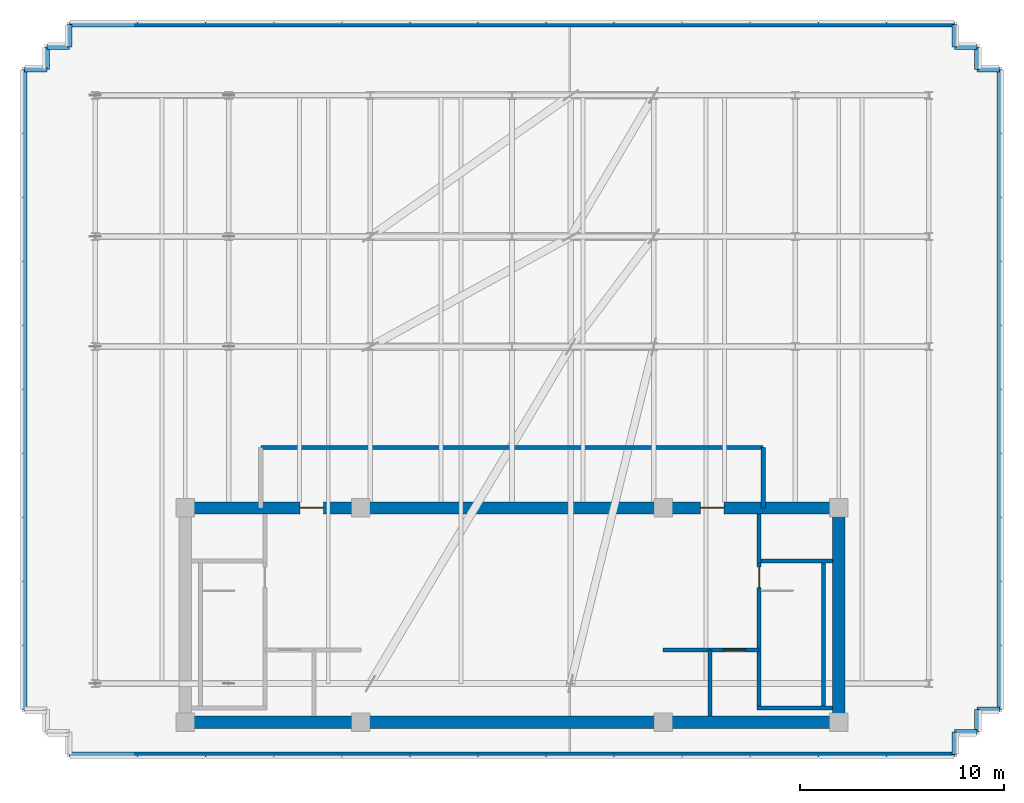
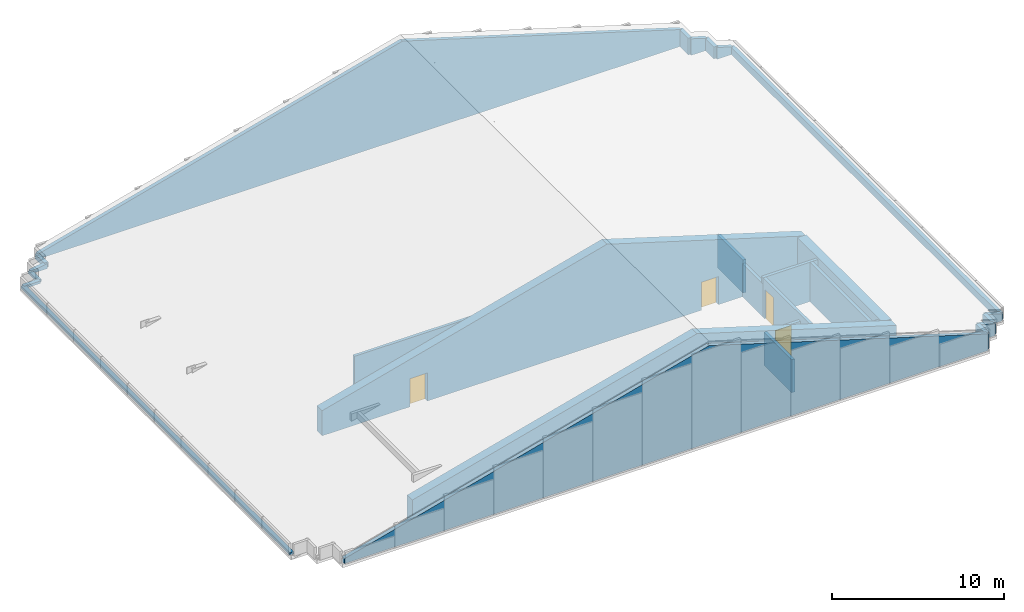
# One storey, part 5 of 6: 28 walls, 4 doors, 4 openings.
"""IFC4 building model written with IfcOpenShell, lengths in metres."""

from ifc_helpers import new_model, si_unit, direction, frame, frame_2d, origin, place, context, subcontext, project, spatial, polyline, rectangle, outline, extrude, material, layer, layer_set, type_object, element, fill, save


model = new_model("IFC4")

# Units and contexts
model_context = context("Model", 3, precision=1e-05, world=origin(), true_north=direction((0.0, 1.0)))
body_context = subcontext(model_context, "Body", "Model", "MODEL_VIEW")
ifc_project = project(units=[si_unit("LENGTHUNIT", "METRE"), si_unit("AREAUNIT", "SQUARE_METRE"), si_unit("VOLUMEUNIT", "CUBIC_METRE"), si_unit("PLANEANGLEUNIT", "RADIAN"), si_unit("MASSUNIT", "GRAM", prefix="KILO")], contexts=[model_context])

# Site, building, storey
site_placement = place(None, origin())
site = spatial("IfcSite", under=ifc_project, at=site_placement, CompositionType="ELEMENT")
building_placement = place(site_placement, origin())
building = spatial("IfcBuilding", under=site, at=building_placement, Name="Solmavex Isthmus Hotel", CompositionType="ELEMENT")
storey_placement = place(building_placement, frame((0.0, 0.0, 308.39990234375)))
storey = spatial("IfcBuildingStorey", under=building, at=storey_placement, Name="Roof", CompositionType="ELEMENT", Elevation=308.39990234375)

# Walls
ifc_material_1 = material(Name="Precast Concrete C40/50", Category="concrete")
ifc_layer_1 = layer(ifc_material_1, 0.260009765625)
ifc_layer_set_1 = layer_set([ifc_layer_1], Name="Precast Concrete C40/50")
wall_type_1 = type_object("IfcWallType", Name="EW-CRN-260", PredefinedType="STANDARD", material=ifc_layer_set_1)
wall_1_placement = place(storey_placement, frame((21.669921875, -14.570068359375, 0.0), z_axis=(0.0, 0.0, 1.0), x_axis=(-1.0, 0.0, 0.0)))
element("IfcWall", 1, at=wall_1_placement, inside=storey, type_object=wall_type_1, Name="Sloped Crown Gable Louvre Wall G01", PredefinedType="STANDARD", context=body_context, shape_type="SweptSolid", body=[
    extrude(outline(polyline([(0.0, 0.0), (43.33984375, 0.0), (43.340087890625, 0.355224609375), (18.79931640625, 6.930908203125), (0.0, 1.1806640625), (0.0, 0.0)])), frame((0.0, 0.1298828125, 0.0), z_axis=(0.0, -1.0, 0.0), x_axis=(1.0, 0.0, 0.0)), (0.0, 0.0, 1.0), 0.260009765625),
])
wall_2_placement = place(storey_placement, frame((-23.8701171875, -12.3701171875, 0.0), z_axis=(0.0, 0.0, 1.0), x_axis=(0.0, 1.0, 0.0)))
element("IfcWall", 2, at=wall_2_placement, inside=storey, type_object=wall_type_1, Name="Sloped Crown Gable Louvre Wall G06", PredefinedType="STANDARD", context=body_context, shape_type="SweptSolid", body=[
    extrude(outline(polyline([(0.0, 0.0), (31.340087890625, 0.0), (31.340087890625, 0.18017578125), (0.0, 0.18017578125), (0.0, 0.0)])), frame((0.0, 0.1298828125, 0.0), z_axis=(0.0, -1.0, 0.0), x_axis=(1.0, 0.0, 0.0)), (0.0, 0.0, 1.0), 0.260009765625),
])
for number, where, z_axis, x_axis, name in (
    (3, (-23.8701171875, 18.969970703125, 0.0), (0.0, 0.0, 1.0), (1.0, 0.0, 0.0), "Sloped Crown Gable Louvre Wall G07"),
    (4, (-22.77001953125, 18.969970703125, 0.0), (0.0, 0.0, 1.0), (0.0, 1.0, 0.0), "Sloped Crown Gable Louvre Wall G08"),
):
    element("IfcWall", number, at=place(storey_placement, frame(where, z_axis=z_axis, x_axis=x_axis)), inside=storey, type_object=wall_type_1, Name=name, PredefinedType="STANDARD", context=body_context, shape_type="SweptSolid", body=[
        extrude(outline(polyline([(0.0, 0.0), (1.10009765625, 0.0), (1.10009765625, 0.18017578125), (0.0, 0.18017578125), (0.0, 0.0)])), frame((0.0, 0.1298828125, 0.0), z_axis=(0.0, -1.0, 0.0), x_axis=(1.0, 0.0, 0.0)), (0.0, 0.0, 1.0), 0.260009765625),
    ])
wall_3_placement = place(storey_placement, frame((-22.77001953125, 20.070068359375, 0.0), z_axis=(0.0, 0.0, 1.0), x_axis=(1.0, 0.0, 0.0)))
element("IfcWall", 5, at=wall_3_placement, inside=storey, type_object=wall_type_1, Name="Sloped Crown Gable Louvre Wall G09", PredefinedType="STANDARD", context=body_context, shape_type="SweptSolid", body=[
    extrude(outline(polyline([(0.0, 0.0), (1.10009765625, 0.0), (1.10009765625, 0.355224609375), (0.0, 0.18017578125), (0.0, 0.0)])), frame((0.0, 0.1298828125, 0.0), z_axis=(0.0, -1.0, 0.0), x_axis=(1.0, 0.0, 0.0)), (0.0, 0.0, 1.0), 0.260009765625),
])
wall_4_placement = place(storey_placement, frame((-21.669921875, 20.070068359375, 0.0), z_axis=(0.0, 0.0, 1.0), x_axis=(0.0, 1.0, 0.0)))
element("IfcWall", 6, at=wall_4_placement, inside=storey, type_object=wall_type_1, Name="Sloped Crown Gable Louvre Wall G10", PredefinedType="STANDARD", context=body_context, shape_type="SweptSolid", body=[
    extrude(outline(polyline([(0.0, 0.0), (1.099853515625, 0.0), (1.10009765625, 0.355224609375), (0.0, 0.355224609375), (0.0, 0.0)])), frame((0.0, 0.1298828125, 0.0), z_axis=(0.0, -1.0, 0.0), x_axis=(1.0, 0.0, 0.0)), (0.0, 0.0, 1.0), 0.260009765625),
])
wall_5_placement = place(storey_placement, frame((-21.669921875, 21.169921875, 0.0), z_axis=(0.0, 0.0, 1.0), x_axis=(1.0, 0.0, 0.0)))
element("IfcWall", 7, at=wall_5_placement, inside=storey, type_object=wall_type_1, Name="Sloped Crown Gable Louvre Wall G11", PredefinedType="STANDARD", context=body_context, shape_type="SweptSolid", body=[
    extrude(outline(polyline([(0.0, 0.0), (43.33984375, 0.0), (43.340087890625, 1.1806640625), (24.540771484375, 6.930908203125), (0.0, 0.355224609375), (0.0, 0.0)])), frame((0.0, 0.1298828125, 0.0), z_axis=(0.0, -1.0, 0.0), x_axis=(1.0, 0.0, 0.0)), (0.0, 0.0, 1.0), 0.260009765625),
])
wall_6_placement = place(storey_placement, frame((21.669921875, 21.169921875, 0.0), z_axis=(0.0, 0.0, 1.0), x_axis=(0.0, -1.0, 0.0)))
element("IfcWall", 8, at=wall_6_placement, inside=storey, type_object=wall_type_1, Name="Sloped Crown Gable Louvre Wall G12", PredefinedType="STANDARD", context=body_context, shape_type="SweptSolid", body=[
    extrude(outline(polyline([(0.0, 0.0), (1.099853515625, 0.0), (1.10009765625, 1.1806640625), (0.0, 1.1806640625), (0.0, 0.0)])), frame((0.0, 0.1298828125, 0.0), z_axis=(0.0, -1.0, 0.0), x_axis=(1.0, 0.0, 0.0)), (0.0, 0.0, 1.0), 0.260009765625),
])
wall_7_placement = place(storey_placement, frame((21.669921875, 20.070068359375, 0.0), z_axis=(0.0, 0.0, 1.0), x_axis=(1.0, 0.0, 0.0)))
element("IfcWall", 9, at=wall_7_placement, inside=storey, type_object=wall_type_1, Name="Sloped Crown Gable Louvre Wall G13", PredefinedType="STANDARD", context=body_context, shape_type="SweptSolid", body=[
    extrude(outline(polyline([(0.0, 0.0), (1.10009765625, 0.0), (1.10009765625, 0.844482421875), (0.0, 1.1806640625), (0.0, 0.0)])), frame((0.0, 0.1298828125, 0.0), z_axis=(0.0, -1.0, 0.0), x_axis=(1.0, 0.0, 0.0)), (0.0, 0.0, 1.0), 0.260009765625),
])
wall_8_placement = place(storey_placement, frame((22.77001953125, 20.070068359375, 0.0), z_axis=(0.0, 0.0, 1.0), x_axis=(0.0, -1.0, 0.0)))
element("IfcWall", 10, at=wall_8_placement, inside=storey, type_object=wall_type_1, Name="Sloped Crown Gable Louvre Wall G14", PredefinedType="STANDARD", context=body_context, shape_type="SweptSolid", body=[
    extrude(outline(polyline([(0.0, 0.0), (1.10009765625, 0.0), (1.10009765625, 0.844482421875), (0.0, 0.844482421875), (0.0, 0.0)])), frame((0.0, 0.1298828125, 0.0), z_axis=(0.0, -1.0, 0.0), x_axis=(1.0, 0.0, 0.0)), (0.0, 0.0, 1.0), 0.260009765625),
])
wall_9_placement = place(storey_placement, frame((22.77001953125, 18.969970703125, 0.0), z_axis=(0.0, 0.0, 1.0), x_axis=(1.0, 0.0, 0.0)))
element("IfcWall", 11, at=wall_9_placement, inside=storey, type_object=wall_type_1, Name="Sloped Crown Gable Louvre Wall G15", PredefinedType="STANDARD", context=body_context, shape_type="SweptSolid", body=[
    extrude(outline(polyline([(0.0, 0.0), (1.10009765625, 0.0), (1.10009765625, 0.508056640625), (0.0, 0.844482421875), (0.0, 0.0)])), frame((0.0, 0.1298828125, 0.0), z_axis=(0.0, -1.0, 0.0), x_axis=(1.0, 0.0, 0.0)), (0.0, 0.0, 1.0), 0.260009765625),
])
wall_10_placement = place(storey_placement, frame((23.8701171875, 18.969970703125, 0.0), z_axis=(0.0, 0.0, 1.0), x_axis=(0.0, -1.0, 0.0)))
element("IfcWall", 12, at=wall_10_placement, inside=storey, type_object=wall_type_1, Name="Sloped Crown Gable Louvre Wall G16", PredefinedType="STANDARD", context=body_context, shape_type="SweptSolid", body=[
    extrude(outline(polyline([(0.0, 0.0), (31.340087890625, 0.0), (31.340087890625, 0.508056640625), (0.0, 0.508056640625), (0.0, 0.0)])), frame((0.0, 0.1298828125, 0.0), z_axis=(0.0, -1.0, 0.0), x_axis=(1.0, 0.0, 0.0)), (0.0, 0.0, 1.0), 0.260009765625),
])
wall_11_placement = place(storey_placement, frame((23.8701171875, -12.3701171875, 0.0), z_axis=(0.0, 0.0, 1.0), x_axis=(-1.0, 0.0, 0.0)))
element("IfcWall", 13, at=wall_11_placement, inside=storey, type_object=wall_type_1, Name="Sloped Crown Gable Louvre Wall G17", PredefinedType="STANDARD", context=body_context, shape_type="SweptSolid", body=[
    extrude(outline(polyline([(0.0, 0.0), (1.10009765625, 0.0), (1.10009765625, 0.844482421875), (0.0, 0.508056640625), (0.0, 0.0)])), frame((0.0, 0.1298828125, 0.0), z_axis=(0.0, -1.0, 0.0), x_axis=(1.0, 0.0, 0.0)), (0.0, 0.0, 1.0), 0.260009765625),
])
wall_12_placement = place(storey_placement, frame((22.77001953125, -12.3701171875, 0.0), z_axis=(0.0, 0.0, 1.0), x_axis=(0.0, -1.0, 0.0)))
element("IfcWall", 14, at=wall_12_placement, inside=storey, type_object=wall_type_1, Name="Sloped Crown Gable Louvre Wall G18", PredefinedType="STANDARD", context=body_context, shape_type="SweptSolid", body=[
    extrude(outline(polyline([(0.0, 0.0), (1.099853515625, 0.0), (1.10009765625, 0.844482421875), (0.0, 0.844482421875), (0.0, 0.0)])), frame((0.0, 0.1298828125, 0.0), z_axis=(0.0, -1.0, 0.0), x_axis=(1.0, 0.0, 0.0)), (0.0, 0.0, 1.0), 0.260009765625),
])
wall_13_placement = place(storey_placement, frame((22.77001953125, -13.469970703125, 0.0), z_axis=(0.0, 0.0, 1.0), x_axis=(-1.0, 0.0, 0.0)))
element("IfcWall", 15, at=wall_13_placement, inside=storey, type_object=wall_type_1, Name="Sloped Crown Gable Louvre Wall G19", PredefinedType="STANDARD", context=body_context, shape_type="SweptSolid", body=[
    extrude(outline(polyline([(0.0, 0.0), (1.10009765625, 0.0), (1.10009765625, 1.1806640625), (0.0, 0.844482421875), (0.0, 0.0)])), frame((0.0, 0.1298828125, 0.0), z_axis=(0.0, -1.0, 0.0), x_axis=(1.0, 0.0, 0.0)), (0.0, 0.0, 1.0), 0.260009765625),
])
wall_14_placement = place(storey_placement, frame((21.669921875, -13.469970703125, 0.0), z_axis=(0.0, 0.0, 1.0), x_axis=(0.0, -1.0, 0.0)))
element("IfcWall", 16, at=wall_14_placement, inside=storey, type_object=wall_type_1, Name="Sloped Crown Gable Louvre Wall G20", PredefinedType="STANDARD", context=body_context, shape_type="SweptSolid", body=[
    extrude(outline(polyline([(0.0, 0.0), (1.10009765625, 0.0), (1.10009765625, 1.1806640625), (0.0, 1.1806640625), (0.0, 0.0)])), frame((0.0, 0.1298828125, 0.0), z_axis=(0.0, -1.0, 0.0), x_axis=(1.0, 0.0, 0.0)), (0.0, 0.0, 1.0), 0.260009765625),
])
ifc_material_2 = material(Name="Concrete C40/50", Category="concrete")
ifc_layer_2 = layer(ifc_material_2, 0.199951171875)
ifc_layer_set_2 = layer_set([ifc_layer_2], Name="Concrete C40/50")
wall_type_2 = type_object("IfcWallType", Name="IW-SHAFT-200", PredefinedType="PARTITIONING", material=ifc_layer_set_2)
wall_15_placement = place(storey_placement, frame((12.10009765625, -5.199951171875, 0.0), z_axis=(0.0, 0.0, 1.0), x_axis=(0.0, 1.0, 0.0)))
element("IfcWall", 17, at=wall_15_placement, inside=storey, type_object=wall_type_2, Name="Interior Partition Wall W-Roof-RSE-W", PredefinedType="PARTITIONING", context=body_context, shape_type="SweptSolid", body=[
    extrude(rectangle(XDim=2.39990234375, YDim=0.199951171875, at=frame_2d((1.199951171875, 0.0))), origin(), (0.0, 0.0, 1.0), 2.35009765625),
])

# Wall, opening, door
wall_16_placement = place(storey_placement, frame((7.39990234375, -9.449951171875, 0.0), z_axis=(0.0, 0.0, 1.0), x_axis=(1.0, 0.0, 0.0)))
wall_16 = element("IfcWall", 18, at=wall_16_placement, inside=storey, type_object=wall_type_2, Name="Interior Partition Wall W-Roof-FFLE-S", PredefinedType="PARTITIONING", context=body_context, shape_type="SweptSolid", body=[
    extrude(rectangle(XDim=4.7001953125, YDim=0.199951171875, at=frame_2d((2.35009765625, 0.0))), origin(), (0.0, 0.0, 1.0), 2.35009765625),
])
opening_1_placement = place(wall_16_placement, frame((2.949951171875, 0.0, 0.0)))
opening_1 = element("IfcOpeningElement", 19, at=opening_1_placement, cuts=wall_16, Name="Opening LD-FF", PredefinedType="OPENING", context=body_context, shape_type="SweptSolid", body=[
    extrude(rectangle(XDim=1.10009765625, YDim=2.199951171875, at=frame_2d((0.550048828125, 1.10009765625))), frame((0.0, 0.10986328125, 0.0), z_axis=(0.0, -1.0, 0.0), x_axis=(1.0, 0.0, 0.0)), (0.0, 0.0, 1.0), 0.219970703125),
])
ifc_material_3 = material(Name="Stainless steel 316", Category="steel")
door_type_1 = type_object("IfcDoorType", Name="LDR-FF-1100", OperationType="NOTDEFINED", PredefinedType="DOOR", material=ifc_material_3)
door_1_placement = place(opening_1_placement, origin())
door_1 = element("IfcDoor", 20, at=door_1_placement, inside=storey, type_object=door_type_1, Name="Lift Landing Door FFL-2 Roof", OperationType="SLIDING_TO_LEFT", OverallHeight=2.199951171875, OverallWidth=1.10009765625, PredefinedType="DOOR", context=body_context, shape_type="SweptSolid", body=[
    extrude(rectangle(XDim=1.10009765625, YDim=2.199951171875, at=frame_2d((0.550048828125, 1.10009765625))), frame((0.0, 0.02490234375, 0.0), z_axis=(0.0, -1.0, 0.0), x_axis=(1.0, 0.0, 0.0)), (0.0, 0.0, 1.0), 0.050048828125),
])
fill(opening_1, door_1)

# Walls
wall_17_placement = place(storey_placement, frame((9.699951171875, -12.699951171875, 0.0), z_axis=(0.0, 0.0, 1.0), x_axis=(0.0, 1.0, 0.0)))
element("IfcWall", 21, at=wall_17_placement, inside=storey, type_object=wall_type_2, Name="Interior Partition Wall W-Roof-FFLE-M", PredefinedType="PARTITIONING", context=body_context, shape_type="SweptSolid", body=[
    extrude(rectangle(XDim=3.25, YDim=0.199951171875, at=frame_2d((1.625, 0.0))), origin(), (0.0, 0.0, 1.0), 2.35009765625),
])
wall_18_placement = place(storey_placement, frame((-12.300048828125, 0.449951171875, 0.0), z_axis=(0.0, 0.0, 1.0), x_axis=(1.0, 0.0, 0.0)))
element("IfcWall", 22, at=wall_18_placement, inside=storey, type_object=wall_type_2, Name="Interior Partition Wall W-Roof-MLOB-N", PredefinedType="PARTITIONING", context=body_context, shape_type="SweptSolid", body=[
    extrude(rectangle(XDim=24.60009765625, YDim=0.199951171875, at=frame_2d((12.300048828125, 0.0))), origin(), (0.0, 0.0, 1.0), 2.35009765625),
])
wall_19_placement = place(storey_placement, frame((12.300048828125, -2.5, 0.0), z_axis=(0.0, 0.0, 1.0), x_axis=(0.0, 1.0, 0.0)))
element("IfcWall", 23, at=wall_19_placement, inside=storey, type_object=wall_type_2, Name="Interior Partition Wall W-Roof-MLOB-E", PredefinedType="PARTITIONING", context=body_context, shape_type="SweptSolid", body=[
    extrude(rectangle(XDim=2.949951171875, YDim=0.199951171875, at=frame_2d((1.47509765625, 0.0))), origin(), (0.0, 0.0, 1.0), 2.35009765625),
])
ifc_material_4 = material(Name="Concrete C50/60", Category="concrete")
ifc_layer_3 = layer(ifc_material_4, 0.60009765625)
ifc_layer_set_3 = layer_set([ifc_layer_3], Name="Concrete C50/60")
wall_type_3 = type_object("IfcWallType", Name="WALL-CW-600", PredefinedType="SHEAR", material=ifc_layer_set_3)
wall_20_placement = place(storey_placement, frame((-16.300048828125, -13.0, 0.0), z_axis=(0.0, 0.0, 1.0), x_axis=(1.0, 0.0, 0.0)))
element("IfcWall", 24, at=wall_20_placement, inside=storey, type_object=wall_type_3, Name="Core Shear Wall South Roof", PredefinedType="SHEAR", context=body_context, shape_type="SweptSolid", body=[
    extrude(outline(polyline([(0.0, 0.0), (32.60009765625, 0.0), (32.60009765625, 2.822509765625), (19.170654296875, 6.930908203125), (0.0, 1.794189453125), (0.0, 0.0)])), frame((0.0, 0.300048828125, 0.0), z_axis=(0.0, -1.0, 0.0), x_axis=(1.0, 0.0, 0.0)), (0.0, 0.0, 1.0), 0.60009765625),
])

# Wall, openings, doors
wall_21_placement = place(storey_placement, frame((-16.300048828125, -2.5, 0.0), z_axis=(0.0, 0.0, 1.0), x_axis=(1.0, 0.0, 0.0)))
wall_21 = element("IfcWall", 25, at=wall_21_placement, inside=storey, type_object=wall_type_3, Name="Core Shear Wall North Roof", PredefinedType="SHEAR", context=body_context, shape_type="SweptSolid", body=[
    extrude(outline(polyline([(0.0, 0.0), (32.60009765625, 0.0), (32.60009765625, 2.822509765625), (19.170654296875, 6.930908203125), (0.0, 1.794189453125), (0.0, 0.0)])), frame((0.0, 0.300048828125, 0.0), z_axis=(0.0, -1.0, 0.0), x_axis=(1.0, 0.0, 0.0)), (0.0, 0.0, 1.0), 0.60009765625),
])
opening_2_placement = place(wall_21_placement, frame((5.925048828125, 0.0, 0.0)))
opening_2 = element("IfcOpeningElement", 26, at=opening_2_placement, cuts=wall_21, Name="Opening ID-F915", PredefinedType="OPENING", context=body_context, shape_type="SweptSolid", body=[
    extrude(rectangle(XDim=1.14990234375, YDim=2.0, at=frame_2d((0.574951171875, 1.0))), frame((0.0, 0.31005859375, 0.0), z_axis=(0.0, -1.0, 0.0), x_axis=(1.0, 0.0, 0.0)), (0.0, 0.0, 1.0), 0.6201171875),
])
opening_3_placement = place(wall_21_placement, frame((25.52490234375, 0.0, 0.0)))
opening_3 = element("IfcOpeningElement", 27, at=opening_3_placement, cuts=wall_21, Name="Opening ID-F915", PredefinedType="OPENING", context=body_context, shape_type="SweptSolid", body=[
    extrude(rectangle(XDim=1.14990234375, YDim=2.0, at=frame_2d((0.574951171875, 1.0))), frame((0.0, 0.31005859375, 0.0), z_axis=(0.0, -1.0, 0.0), x_axis=(1.0, 0.0, 0.0)), (0.0, 0.0, 1.0), 0.6201171875),
])
ifc_material_5 = material(Name="Steel ASTM A500 Grade C", Category="steel")
door_type_2 = type_object("IfcDoorType", Name="IDR-FD90-1150C", OperationType="NOTDEFINED", PredefinedType="DOOR", material=ifc_material_5)
door_2_placement = place(opening_2_placement, origin())
door_2 = element("IfcDoor", 28, at=door_2_placement, inside=storey, type_object=door_type_2, Name="Roof Stair Vestibule West Door", OperationType="SINGLE_SWING_LEFT", OverallHeight=2.0, OverallWidth=1.14990234375, PredefinedType="DOOR", context=body_context, shape_type="SweptSolid", body=[
    extrude(rectangle(XDim=1.14990234375, YDim=2.0, at=frame_2d((0.574951171875, 1.0))), frame((0.0, 0.02490234375, 0.0), z_axis=(0.0, -1.0, 0.0), x_axis=(1.0, 0.0, 0.0)), (0.0, 0.0, 1.0), 0.050048828125),
])
fill(opening_2, door_2)
door_3_placement = place(opening_3_placement, origin())
door_3 = element("IfcDoor", 29, at=door_3_placement, inside=storey, type_object=door_type_2, Name="Roof Stair Vestibule East Door", OperationType="SINGLE_SWING_RIGHT", OverallHeight=2.0, OverallWidth=1.14990234375, PredefinedType="DOOR", context=body_context, shape_type="SweptSolid", body=[
    extrude(rectangle(XDim=1.14990234375, YDim=2.0, at=frame_2d((0.574951171875, 1.0))), frame((0.0, 0.02490234375, 0.0), z_axis=(0.0, -1.0, 0.0), x_axis=(1.0, 0.0, 0.0)), (0.0, 0.0, 1.0), 0.050048828125),
])
fill(opening_3, door_3)

# Walls
wall_22_placement = place(storey_placement, frame((16.0, -12.699951171875, 0.0), z_axis=(0.0, 0.0, 1.0), x_axis=(0.0, 1.0, 0.0)))
element("IfcWall", 30, at=wall_22_placement, inside=storey, type_object=wall_type_3, Name="Core Shear Wall E Roof", PredefinedType="SHEAR", context=body_context, shape_type="SweptSolid", body=[
    extrude(rectangle(XDim=9.89990234375, YDim=0.60009765625, at=frame_2d((4.949951171875, 0.0))), origin(), (0.0, 0.0, 1.0), 2.914306640625),
])
ifc_layer_4 = layer(ifc_material_2, 0.199951171875)
ifc_layer_set_4 = layer_set([ifc_layer_4], Name="Concrete C40/50")
wall_type_4 = type_object("IfcWallType", Name="WALL-SW-200", PredefinedType="SOLIDWALL", material=ifc_layer_set_4)
for number, where, z_axis, x_axis, name in (
    (31, (12.0, -12.300048828125, 0.0), (0.0, 0.0, 1.0), (1.0, 0.0, 0.0), "Stairwell Structural Wall SW-Roof-ST2-S"),
    (32, (12.0, -5.10009765625, 0.0), (0.0, 0.0, 1.0), (1.0, 0.0, 0.0), "Stairwell Structural Wall SW-Roof-ST2-N"),
):
    element("IfcWall", number, at=place(storey_placement, frame(where, z_axis=z_axis, x_axis=x_axis)), inside=storey, type_object=wall_type_4, Name=name, PredefinedType="SOLIDWALL", context=body_context, shape_type="SweptSolid", body=[
        extrude(rectangle(XDim=3.699951171875, YDim=0.199951171875, at=frame_2d((1.85009765625, 0.0))), origin(), (0.0, 0.0, 1.0), 2.800048828125),
    ])

# Wall, opening, door
wall_23_placement = place(storey_placement, frame((12.10009765625, -12.199951171875, 0.0), z_axis=(0.0, 0.0, 1.0), x_axis=(0.0, 1.0, 0.0)))
wall_23 = element("IfcWall", 33, at=wall_23_placement, inside=storey, type_object=wall_type_4, Name="Stairwell Structural Wall SW-Roof-ST2-W", PredefinedType="SOLIDWALL", context=body_context, shape_type="SweptSolid", body=[
    extrude(rectangle(XDim=7.0, YDim=0.199951171875, at=frame_2d((3.5, 0.0))), origin(), (0.0, 0.0, 1.0), 2.800048828125),
])
opening_4_placement = place(wall_23_placement, frame((5.800048828125, 0.0, 0.0)))
opening_4 = element("IfcOpeningElement", 34, at=opening_4_placement, cuts=wall_23, Name="Opening ID-F100", PredefinedType="OPENING", context=body_context, shape_type="SweptSolid", body=[
    extrude(rectangle(XDim=1.0, YDim=2.10009765625, at=frame_2d((0.5, 1.050048828125))), frame((0.0, 0.10986328125, 0.0), z_axis=(0.0, -1.0, 0.0), x_axis=(1.0, 0.0, 0.0)), (0.0, 0.0, 1.0), 0.219970703125),
])
door_type_3 = type_object("IfcDoorType", Name="IDR-FD90-1000", OperationType="NOTDEFINED", PredefinedType="DOOR", material=ifc_material_5)
door_4_placement = place(opening_4_placement, origin())
door_4 = element("IfcDoor", 35, at=door_4_placement, inside=storey, type_object=door_type_3, Name="Stair ST-2 Roof Maintenance Door", OperationType="SINGLE_SWING_RIGHT", OverallHeight=2.10009765625, OverallWidth=1.0, PredefinedType="DOOR", context=body_context, shape_type="SweptSolid", body=[
    extrude(rectangle(XDim=1.0, YDim=2.10009765625, at=frame_2d((0.5, 1.050048828125))), frame((0.0, 0.02490234375, 0.0), z_axis=(0.0, -1.0, 0.0), x_axis=(1.0, 0.0, 0.0)), (0.0, 0.0, 1.0), 0.050048828125),
])
fill(opening_4, door_4)

# Wall
wall_24_placement = place(storey_placement, frame((15.25, -12.199951171875, 0.0), z_axis=(0.0, 0.0, 1.0), x_axis=(0.0, 1.0, 0.0)))
element("IfcWall", 36, at=wall_24_placement, inside=storey, type_object=wall_type_4, Name="Stairwell Structural Wall SW-Roof-ST2-E", PredefinedType="SOLIDWALL", context=body_context, shape_type="SweptSolid", body=[
    extrude(rectangle(XDim=7.0, YDim=0.199951171875, at=frame_2d((3.5, 0.0))), origin(), (0.0, 0.0, 1.0), 2.800048828125),
])

save(model, "model.ifc")
